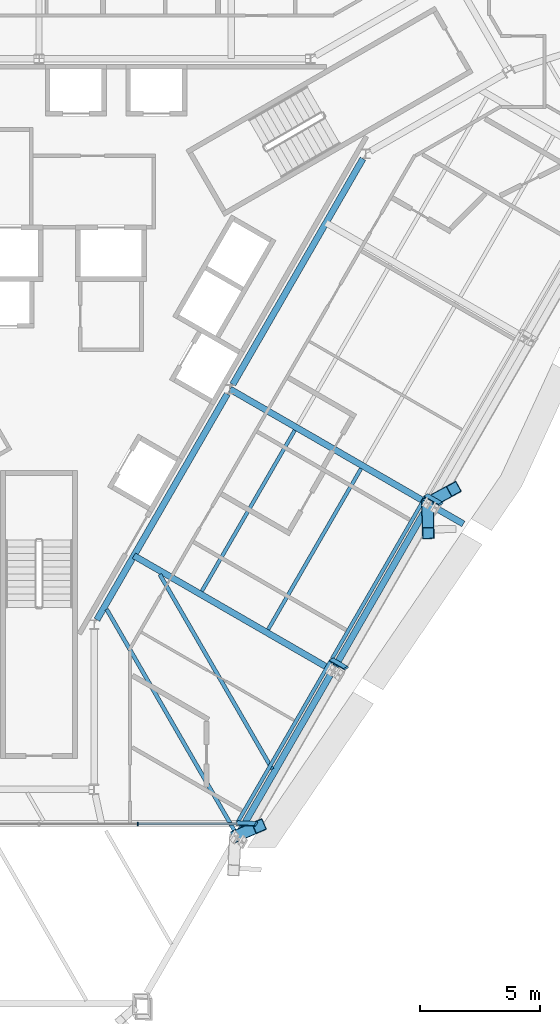
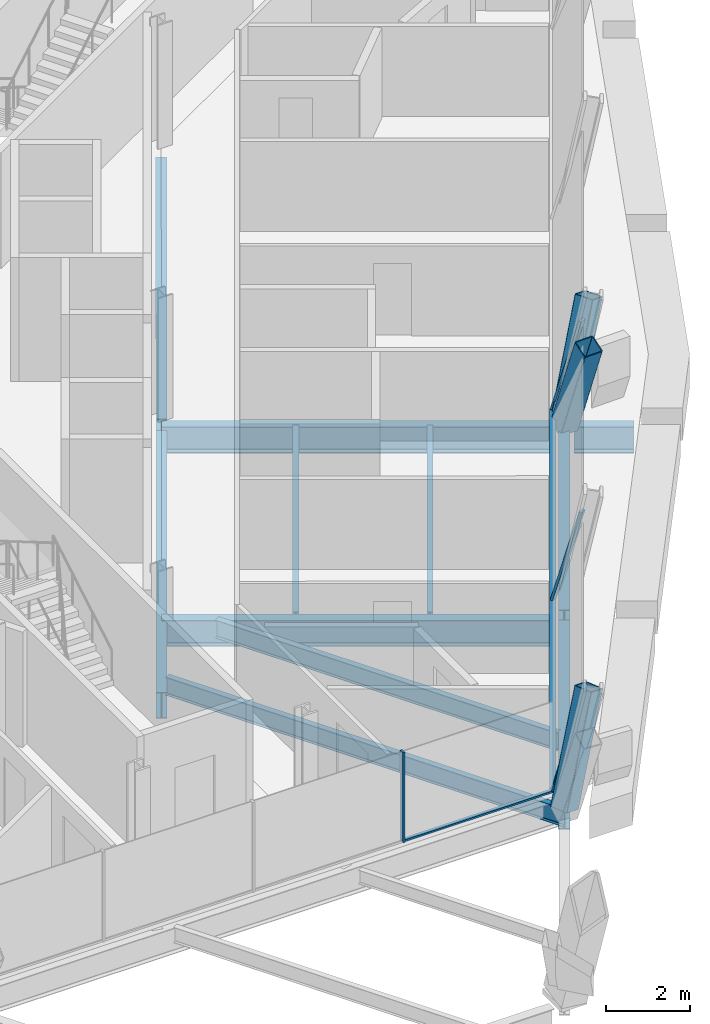
# One storey, part 5 of 15: 11 beams, 10 members, 2 elements without a shape of their own.
"""IFC4 building model written with IfcOpenShell, lengths in metres."""

from ifc_helpers import new_model, si_unit, direction, frame, origin, origin_2d, place, context, subcontext, project, spatial, rectangle, hollow_rectangle, i_section, extrude, material, material_profile, profile_set, type_object, element, aggregate, save


model = new_model("IFC4")

# Units and contexts
model_context = context("Model", 3, precision=1e-05, world=origin(), true_north=direction((0.0, 1.0)))
body_context = subcontext(model_context, "Body", "Model", "MODEL_VIEW")
ifc_project = project(units=[si_unit("LENGTHUNIT", "METRE"), si_unit("AREAUNIT", "SQUARE_METRE"), si_unit("VOLUMEUNIT", "CUBIC_METRE"), si_unit("PLANEANGLEUNIT", "RADIAN"), si_unit("MASSUNIT", "GRAM", prefix="KILO")], contexts=[model_context])

# Site, building, storey
site_placement = place(None, origin())
site = spatial("IfcSite", under=ifc_project, at=site_placement, CompositionType="ELEMENT")
building_placement = place(site_placement, origin())
building = spatial("IfcBuilding", under=site, at=building_placement, Name="Verrane Prism Tower", CompositionType="ELEMENT")
storey_placement = place(building_placement, frame((0.0, 0.0, 118.0)))
storey = spatial("IfcBuildingStorey", under=building, at=storey_placement, Name="L28", CompositionType="ELEMENT", Elevation=118.0)

# Beams
ifc_material_1 = material(Name="Steel A992", Category="steel")
ifc_material_profile_1 = material_profile(ifc_material_1, i_section(OverallWidth=0.2666015625, OverallDepth=0.7568359375, WebThickness=0.013916015625, FlangeThickness=0.019287109375, FilletRadius=0.0166015625, at=origin_2d()), Name="W30x108")
ifc_profile_set_1 = profile_set([ifc_material_profile_1], Name="Steel A992")
beam_type_1 = type_object("IfcBeamType", Name="Core ring girder W30x108", PredefinedType="BEAM", material=ifc_profile_set_1)
beam_1_placement = place(storey_placement, frame((2.4150390625, -14.220703125, -0.62841796875), z_axis=(0.500034555306, 0.86600545235, 0.0), x_axis=(-0.86600545235, 0.500034555306, 0.0)))
element("IfcBeam", 1, at=beam_1_placement, inside=storey, type_object=beam_type_1, Name="Core ring girder L28", PredefinedType="BEAM", context=body_context, shape_type="SweptSolid", body=[
    extrude(i_section(OverallWidth=0.2666015625, OverallDepth=0.7568359375, WebThickness=0.013916015625, FlangeThickness=0.019287109375, FilletRadius=0.0166015625, at=origin_2d()), origin(), (0.0, 0.0, 1.0), 10.879150390625),
])
beam_2_placement = place(storey_placement, frame((8.0849609375, -4.400634765625, -0.62841796875), z_axis=(0.4993706109, 0.866388476937, 0.0), x_axis=(-0.866388476937, 0.4993706109, 0.0)))
element("IfcBeam", 2, at=beam_2_placement, inside=storey, type_object=beam_type_1, Name="Core ring girder L28", PredefinedType="BEAM", context=body_context, shape_type="SweptSolid", body=[
    extrude(i_section(OverallWidth=0.2666015625, OverallDepth=0.7568359375, WebThickness=0.013916015625, FlangeThickness=0.019287109375, FilletRadius=0.0166015625, at=origin_2d()), origin(), (0.0, 0.0, 1.0), 10.8740234375),
])

# Members
ifc_material_2 = material(Name="Steel A1085 Grade A", Category="steel")
ifc_material_profile_2 = material_profile(ifc_material_2, hollow_rectangle(XDim=0.508056640625, YDim=0.508056640625, WallThickness=0.025390625, InnerFilletRadius=0.0126953125, OuterFilletRadius=0.0380859375, at=origin_2d()), Name="HSS20x20x1")
ifc_profile_set_2 = profile_set([ifc_material_profile_2], Name="Steel A1085 Grade A")
member_type_1 = type_object("IfcMemberType", Name="Facade brace HSS20x20x1", PredefinedType="BRACE", material=ifc_profile_set_2)
member_1_placement = place(storey_placement, frame((8.29443359375, -23.212890625, -0.197509765625), z_axis=(0.285051790869, 0.121963626926, 0.95072096339), x_axis=(-0.393370375922, 0.919380088618, 0.0)))
element("IfcMember", 3, at=member_1_placement, inside=storey, type_object=member_type_1, Name="Facade brace SE1 L28", PredefinedType="BRACE", context=body_context, shape_type="SweptSolid", body=[
    extrude(hollow_rectangle(XDim=0.508056640625, YDim=0.508056640625, WallThickness=0.025390625, InnerFilletRadius=0.0126953125, OuterFilletRadius=0.0380859375, at=origin_2d()), origin(), (0.0, 0.0, 1.0), 3.11669921875),
])
member_2_placement = place(storey_placement, frame((16.215087890625, -9.4853515625, -0.197509765625), z_axis=(0.008863178321, -0.353448137221, 0.935412132894), x_axis=(0.999685737311, 0.025068438681, 0.0)))
element("IfcMember", 4, at=member_2_placement, inside=storey, type_object=member_type_1, Name="Facade brace SE2 L28", PredefinedType="BRACE", context=body_context, shape_type="SweptSolid", body=[
    extrude(hollow_rectangle(XDim=0.508056640625, YDim=0.508056640625, WallThickness=0.025390625, InnerFilletRadius=0.0126953125, OuterFilletRadius=0.0380859375, at=origin_2d()), origin(), (0.0, 0.0, 1.0), 3.167724609375),
])
member_3_placement = place(storey_placement, frame((16.3251953125, -9.294677734375, -0.197509765625), z_axis=(0.310845676245, 0.16944711008, 0.935234004111), x_axis=(-0.478623368713, 0.878020313502, 0.0)))
element("IfcMember", 5, at=member_3_placement, inside=storey, type_object=member_type_1, Name="Facade brace SE3 L28", PredefinedType="BRACE", context=body_context, shape_type="SweptSolid", body=[
    extrude(hollow_rectangle(XDim=0.508056640625, YDim=0.508056640625, WallThickness=0.025390625, InnerFilletRadius=0.0126953125, OuterFilletRadius=0.0380859375, at=origin_2d()), origin(), (0.0, 0.0, 1.0), 3.16845703125),
])

# Beams
ifc_material_3 = material(Name="Steel A992", Category="steel")
ifc_material_profile_3 = material_profile(ifc_material_3, i_section(OverallWidth=0.15234375, OverallDepth=0.449462890625, WebThickness=0.007568359375, FlangeThickness=0.0107421875, FilletRadius=0.01025390625, at=origin_2d()), Name="W18x35")
ifc_profile_set_3 = profile_set([ifc_material_profile_3], Name="Steel A992")
beam_type_2 = type_object("IfcBeamType", Name="Floor beam W18x35", PredefinedType="BEAM", material=ifc_profile_set_3)
for number, where, z_axis, x_axis, name in (
    (6, (9.559326171875, -14.627197265625, -0.384765625), (0.500028499731, 0.866008948832, 0.0), (-0.866008948832, 0.500028499731, 0.0), "Floor beam L28"),
    (7, (6.7919921875, -13.0302734375, -0.384765625), (0.500028499731, 0.866008948832, 0.0), (-0.866008948832, 0.500028499731, 0.0), "Floor beam L28"),
):
    element("IfcBeam", number, at=place(storey_placement, frame(where, z_axis=z_axis, x_axis=x_axis)), inside=storey, type_object=beam_type_2, Name=name, PredefinedType="BEAM", context=body_context, shape_type="SweptSolid", body=[
        extrude(i_section(OverallWidth=0.15234375, OverallDepth=0.449462890625, WebThickness=0.007568359375, FlangeThickness=0.0107421875, FilletRadius=0.01025390625, at=origin_2d()), origin(), (0.0, 0.0, 1.0), 7.7568359375),
    ])
ifc_material_4 = material(Name="Steel A992", Category="steel")
ifc_material_profile_4 = material_profile(ifc_material_4, i_section(OverallWidth=0.1650390625, OverallDepth=0.52587890625, WebThickness=0.0087890625, FlangeThickness=0.011474609375, FilletRadius=0.0126953125, at=origin_2d()), Name="W21x44")
ifc_profile_set_4 = profile_set([ifc_material_profile_4], Name="Steel A992")
beam_type_3 = type_object("IfcBeamType", Name="Floor beam W21x44", PredefinedType="BEAM", material=ifc_profile_set_4)
beam_3_placement = place(storey_placement, frame((9.731201171875, -20.455810546875, -0.4228515625), z_axis=(-0.499985098601, 0.86603400694, 0.0), x_axis=(-0.86603400694, -0.499985098601, 0.0)))
element("IfcBeam", 8, at=beam_3_placement, inside=storey, type_object=beam_type_3, Name="Floor beam L28", PredefinedType="BEAM", context=body_context, shape_type="SweptSolid", body=[
    extrude(i_section(OverallWidth=0.1650390625, OverallDepth=0.52587890625, WebThickness=0.0087890625, FlangeThickness=0.011474609375, FilletRadius=0.0126953125, at=origin_2d()), origin(), (0.0, 0.0, 1.0), 9.387451171875),
])
beam_4_placement = place(storey_placement, frame((8.280029296875, -23.238037109375, -0.4228515625), z_axis=(-0.499987680174, 0.866032516522, 0.0), x_axis=(-0.866032516522, -0.499987680174, 0.0)))
element("IfcBeam", 9, at=beam_4_placement, inside=storey, type_object=beam_type_3, Name="Floor beam L28", PredefinedType="BEAM", context=body_context, shape_type="SweptSolid", body=[
    extrude(i_section(OverallWidth=0.1650390625, OverallDepth=0.52587890625, WebThickness=0.0087890625, FlangeThickness=0.011474609375, FilletRadius=0.0126953125, at=origin_2d()), origin(), (0.0, 0.0, 1.0), 10.916259765625),
])

# Curtain wall, member
ifc_material_5 = material(Name="Aluminium framed insulated glazing", Category="aluminium")
curtain_wall_type_1 = type_object("IfcCurtainWallType", Name="Curtain wall CW-C 4200 module", PredefinedType="NOTDEFINED", material=ifc_material_5)
curtain_wall_1_placement = place(storey_placement, origin())
curtain_wall_1 = element("IfcCurtainWall", 10, at=curtain_wall_1_placement, inside=storey, type_object=curtain_wall_type_1, Name="Glazed curtain wall garden cut line L28 1", PredefinedType="NOTDEFINED")
ifc_material_6 = material(Name="Aluminium alloy 6063-T6", Category="aluminium")
ifc_material_profile_5 = material_profile(ifc_material_6, rectangle(XDim=0.139892578125, YDim=0.050048828125, at=origin_2d()), Name="Mullion 50x140 aluminium")
ifc_profile_set_5 = profile_set([ifc_material_profile_5], Name="Aluminium alloy 6063-T6")
member_type_2 = type_object("IfcMemberType", Name="Mullion 50x140 aluminium", PredefinedType="MULLION", material=ifc_profile_set_5)
member_4_placement = place(storey_placement, frame((4.12353515625, -22.73779296875, 0.0), z_axis=(0.0, 0.0, 1.0), x_axis=(0.0, 1.0, 0.0)))
member_4 = element("IfcMember", 11, at=member_4_placement, type_object=member_type_2, Name="CW27.5.1 mullion 4", PredefinedType="MULLION", context=body_context, shape_type="SweptSolid", body=[
    extrude(rectangle(XDim=0.139892578125, YDim=0.050048828125, at=origin_2d()), origin(), (0.0, 0.0, 1.0), 2.61279296875),
])

# Curtain wall, members
ifc_material_7 = material(Name="Aluminium framed insulated glazing", Category="aluminium")
curtain_wall_type_2 = type_object("IfcCurtainWallType", Name="Curtain wall CW-A 8400 module", PredefinedType="NOTDEFINED", material=ifc_material_7)
curtain_wall_2_placement = place(storey_placement, origin())
curtain_wall_2 = element("IfcCurtainWall", 12, at=curtain_wall_2_placement, inside=storey, type_object=curtain_wall_type_2, Name="Glazed curtain wall south-east face L28", PredefinedType="NOTDEFINED")
ifc_material_8 = material(Name="Aluminium alloy 6063-T6", Category="aluminium")
ifc_material_profile_6 = material_profile(ifc_material_8, rectangle(XDim=0.199951171875, YDim=0.070068359375, at=origin_2d()), Name="Mullion 70x200 aluminium")
ifc_profile_set_6 = profile_set([ifc_material_profile_6], Name="Aluminium alloy 6063-T6")
member_type_3 = type_object("IfcMemberType", Name="Mullion 70x200 aluminium", PredefinedType="MULLION", material=ifc_profile_set_6)
member_5_placement = place(storey_placement, frame((8.264404296875, -22.70751953125, 0.0), z_axis=(0.289741357304, -0.011088866761, 0.957040742551), x_axis=(-0.511289189989, -0.847092205538, 0.144976410211)))
member_5 = element("IfcMember", 13, at=member_5_placement, type_object=member_type_3, Name="CW27.6 mullion 1", PredefinedType="MULLION", context=body_context, shape_type="SweptSolid", body=[
    extrude(rectangle(XDim=0.199951171875, YDim=0.070068359375, at=origin_2d()), origin(), (0.0, 0.0, 1.0), 2.72998046875),
])
member_6_placement = place(storey_placement, frame((12.203125, -15.885498046875, 0.0), z_axis=(0.224110998518, -0.129339935915, 0.965942773316), x_axis=(-0.851191428087, -0.508659599874, 0.129377603188)))
member_6 = element("IfcMember", 14, at=member_6_placement, type_object=member_type_3, Name="CW27.6 mullion 2", PredefinedType="MULLION", context=body_context, shape_type="SweptSolid", body=[
    extrude(rectangle(XDim=0.199951171875, YDim=0.070068359375, at=origin_2d()), origin(), (0.0, 0.0, 1.0), 2.704833984375),
])
member_7_placement = place(storey_placement, frame((16.159423828125, -9.032958984375, 0.0), z_axis=(0.224108381383, -0.129428682603, 0.965931493178), x_axis=(-0.8513401511, -0.508405286156, 0.129398655843)))
member_7 = element("IfcMember", 15, at=member_7_placement, type_object=member_type_3, Name="CW27.6 mullion 3", PredefinedType="MULLION", context=body_context, shape_type="SweptSolid", body=[
    extrude(rectangle(XDim=0.199951171875, YDim=0.070068359375, at=origin_2d()), origin(), (0.0, 0.0, 1.0), 2.704833984375),
])

# Beams
ifc_material_9 = material(Name="Steel A992", Category="steel")
ifc_material_profile_7 = material_profile(ifc_material_9, i_section(OverallWidth=0.2666015625, OverallDepth=0.76708984375, WebThickness=0.014892578125, FlangeThickness=0.023681640625, FilletRadius=0.0166015625, at=origin_2d()), Name="W30x124")
ifc_profile_set_7 = profile_set([ifc_material_profile_7], Name="Steel A992")
beam_type_4 = type_object("IfcBeamType", Name="Radial girder W30x124", PredefinedType="BEAM", material=ifc_profile_set_7)
beam_5_placement = place(storey_placement, frame((12.05419921875, -16.22119140625, -0.603515625), z_axis=(-0.866018138487, 0.500012583653, 0.0), x_axis=(-0.500012583653, -0.866018138487, 0.0)))
element("IfcBeam", 16, at=beam_5_placement, inside=storey, type_object=beam_type_4, Name="Radial girder L28", PredefinedType="BEAM", context=body_context, shape_type="SweptSolid", body=[
    extrude(i_section(OverallWidth=0.2666015625, OverallDepth=0.76708984375, WebThickness=0.014892578125, FlangeThickness=0.023681640625, FilletRadius=0.0166015625, at=origin_2d()), origin(), (0.0, 0.0, 1.0), 9.347900390625),
])
beam_6_placement = place(storey_placement, frame((16.064208984375, -9.271240234375, -0.603515625), z_axis=(-0.866015917575, 0.500016430238, 0.0), x_axis=(-0.500016430238, -0.866015917575, 0.0)))
element("IfcBeam", 17, at=beam_6_placement, inside=storey, type_object=beam_type_4, Name="Radial girder L28", PredefinedType="BEAM", context=body_context, shape_type="SweptSolid", body=[
    extrude(i_section(OverallWidth=0.2666015625, OverallDepth=0.76708984375, WebThickness=0.014892578125, FlangeThickness=0.023681640625, FilletRadius=0.0166015625, at=origin_2d()), origin(), (0.0, 0.0, 1.0), 9.345458984375),
])
beam_7_placement = place(storey_placement, frame((16.47216796875, -9.506591796875, -0.603515625), z_axis=(0.866000213925, -0.500043627578, 0.0), x_axis=(0.500043627578, 0.866000213925, 0.0)))
element("IfcBeam", 18, at=beam_7_placement, inside=storey, type_object=beam_type_4, Name="Cantilever girder L28", PredefinedType="BEAM", context=body_context, shape_type="SweptSolid", body=[
    extrude(i_section(OverallWidth=0.2666015625, OverallDepth=0.76708984375, WebThickness=0.014892578125, FlangeThickness=0.023681640625, FilletRadius=0.0166015625, at=origin_2d()), origin(), (0.0, 0.0, 1.0), 1.425537109375),
])
ifc_material_10 = material(Name="Steel A992", Category="steel")
ifc_material_profile_8 = material_profile(ifc_material_10, i_section(OverallWidth=0.2666015625, OverallDepth=0.7568359375, WebThickness=0.013916015625, FlangeThickness=0.019287109375, FilletRadius=0.0166015625, at=origin_2d()), Name="W30x108")
ifc_profile_set_8 = profile_set([ifc_material_profile_8], Name="Steel A992")
beam_type_5 = type_object("IfcBeamType", Name="Spandrel beam W30x108", PredefinedType="SPANDREL", material=ifc_profile_set_8)
for number, where, z_axis, x_axis, name in (
    (19, (8.35595703125, -23.106201171875, -0.53857421875), (0.499770658239, 0.866157773828, 0.0), (-0.866157773828, 0.499770658239, 0.0), "Spandrel beam L28"),
    (20, (12.365966796875, -16.15625, -0.53857421875), (0.499770658239, 0.866157773828, 0.0), (-0.866157773828, 0.499770658239, 0.0), "Spandrel beam L28"),
):
    element("IfcBeam", number, at=place(storey_placement, frame(where, z_axis=z_axis, x_axis=x_axis)), inside=storey, type_object=beam_type_5, Name=name, PredefinedType="SPANDREL", context=body_context, shape_type="SweptSolid", body=[
        extrude(i_section(OverallWidth=0.2666015625, OverallDepth=0.7568359375, WebThickness=0.013916015625, FlangeThickness=0.019287109375, FilletRadius=0.0166015625, at=origin_2d()), origin(), (0.0, 0.0, 1.0), 7.599609375),
    ])

# Member
ifc_material_11 = material(Name="Aluminium alloy 6063-T6", Category="aluminium")
ifc_material_profile_9 = material_profile(ifc_material_11, rectangle(XDim=0.10009765625, YDim=0.050048828125, at=origin_2d()), Name="Transom 50x100 aluminium")
ifc_profile_set_9 = profile_set([ifc_material_profile_9], Name="Aluminium alloy 6063-T6")
member_type_4 = type_object("IfcMemberType", Name="Transom 50x100 aluminium", PredefinedType="USERDEFINED", material=ifc_profile_set_9)
member_8_placement = place(storey_placement, frame((4.1484375, -22.73779296875, 0.02490234375), z_axis=(1.0, 0.0, 0.0), x_axis=(0.0, 1.0, 0.0)))
member_8 = element("IfcMember", 21, at=member_8_placement, type_object=member_type_4, Name="CW27.5.1 transom 4", ObjectType="TRANSOM", PredefinedType="USERDEFINED", context=body_context, shape_type="SweptSolid", body=[
    extrude(rectangle(XDim=0.10009765625, YDim=0.050048828125, at=origin_2d()), origin(), (0.0, 0.0, 1.0), 4.0986328125),
])

aggregate(curtain_wall_1, [member_4, member_8])

ifc_material_12 = material(Name="Aluminium alloy 6063-T6", Category="aluminium")
ifc_material_profile_10 = material_profile(ifc_material_12, rectangle(XDim=0.14990234375, YDim=0.070068359375, at=origin_2d()), Name="Transom 70x150 aluminium")
ifc_profile_set_10 = profile_set([ifc_material_profile_10], Name="Aluminium alloy 6063-T6")
member_type_5 = type_object("IfcMemberType", Name="Transom 70x150 aluminium", PredefinedType="USERDEFINED", material=ifc_profile_set_10)
member_9_placement = place(storey_placement, frame((8.281982421875, -22.67724609375, 0.034912109375), z_axis=(0.5000066674, 0.866021554325, 0.0), x_axis=(-0.866021554325, 0.5000066674, 0.0)))
member_9 = element("IfcMember", 22, at=member_9_placement, type_object=member_type_5, Name="CW27.6 transom 1", ObjectType="TRANSOM", PredefinedType="USERDEFINED", context=body_context, shape_type="SweptSolid", body=[
    extrude(rectangle(XDim=0.14990234375, YDim=0.070068359375, at=origin_2d()), origin(), (0.0, 0.0, 1.0), 7.8076171875),
])

member_10_placement = place(storey_placement, frame((12.220703125, -15.855224609375, 0.034912109375), z_axis=(0.499992828865, 0.866029544001, 0.0), x_axis=(-0.866029544001, 0.499992828865, 0.0)))
member_10 = element("IfcMember", 23, at=member_10_placement, type_object=member_type_5, Name="CW27.6 transom 2", ObjectType="TRANSOM", PredefinedType="USERDEFINED", context=body_context, shape_type="SweptSolid", body=[
    extrude(rectangle(XDim=0.14990234375, YDim=0.070068359375, at=origin_2d()), origin(), (0.0, 0.0, 1.0), 7.84228515625),
])

aggregate(curtain_wall_2, [member_5, member_6, member_7, member_9, member_10])

save(model, "model.ifc")
